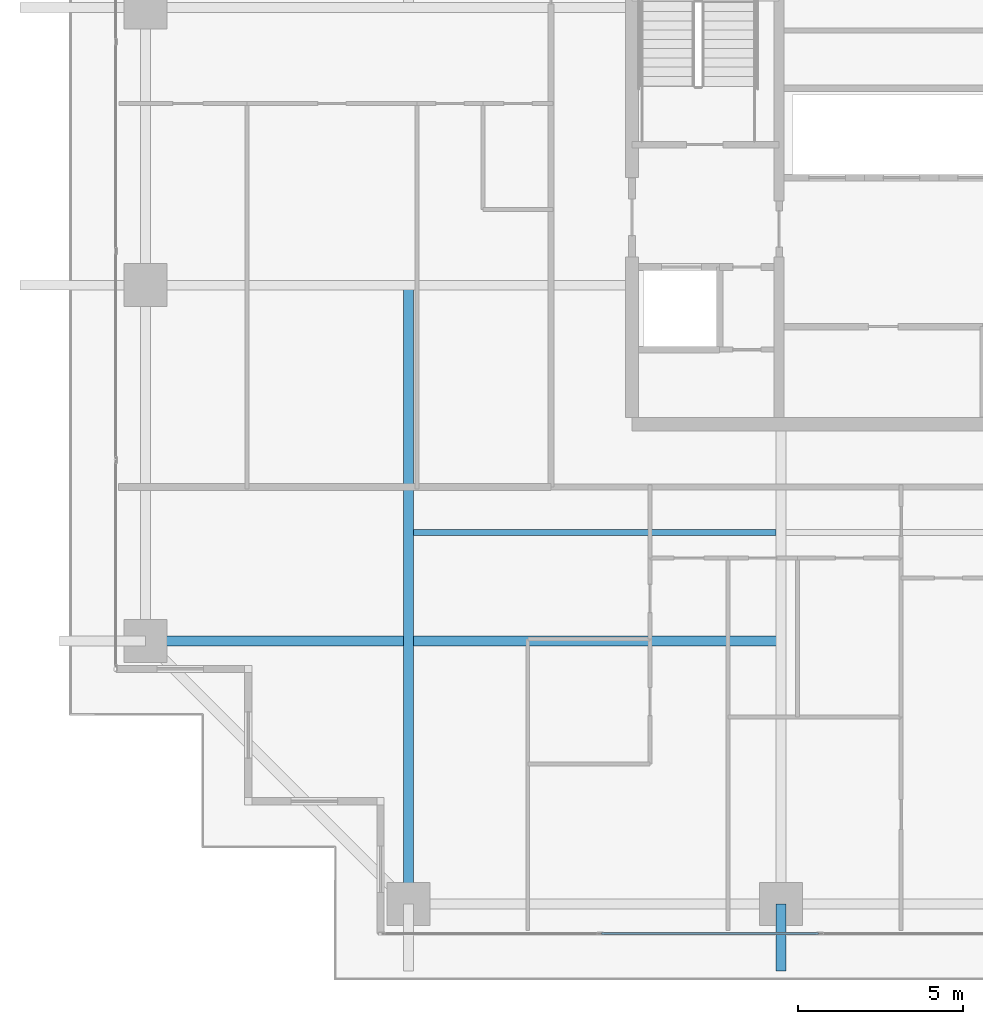
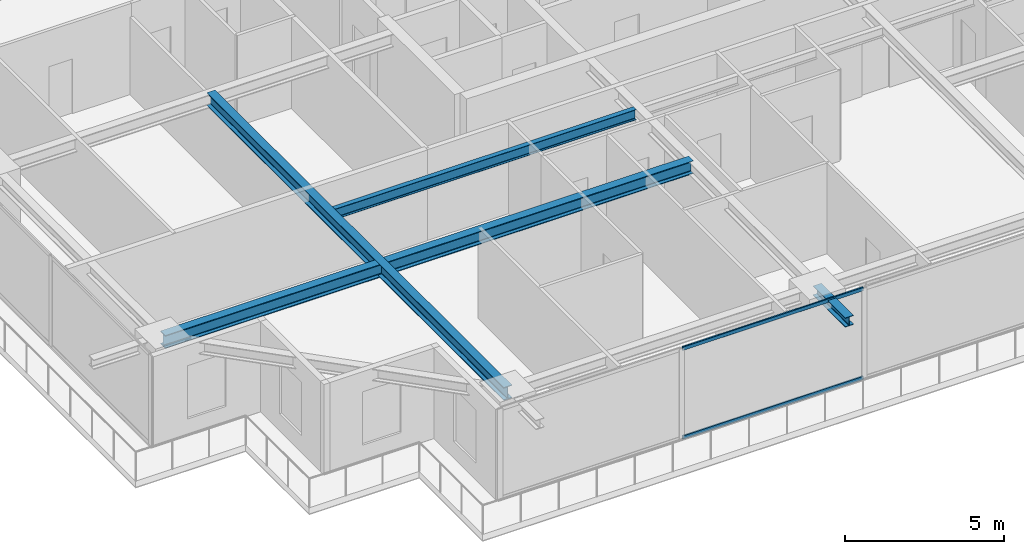
# One storey, part 4 of 34: 4 beams, 2 members, 1 element without a shape of its own.
"""IFC4 building model written with IfcOpenShell, lengths in metres."""

from ifc_helpers import new_model, si_unit, direction, frame, origin, origin_2d, place, context, subcontext, project, spatial, hollow_rectangle, i_section, extrude, source, transform, mapped, material, layer, layer_set, material_profile, profile_set, type_object, element, aggregate, save


model = new_model("IFC4")

# Units and contexts
model_context = context("Model", 3, precision=1e-05, world=origin(), true_north=direction((0.0, 1.0)))
body_context = subcontext(model_context, "Body", "Model", "MODEL_VIEW")
ifc_project = project(units=[si_unit("LENGTHUNIT", "METRE"), si_unit("AREAUNIT", "SQUARE_METRE"), si_unit("VOLUMEUNIT", "CUBIC_METRE"), si_unit("PLANEANGLEUNIT", "RADIAN"), si_unit("MASSUNIT", "GRAM", prefix="KILO")], contexts=[model_context])

# Site, building, storey
site_placement = place(None, origin())
site = spatial("IfcSite", under=ifc_project, at=site_placement, CompositionType="ELEMENT")
building_placement = place(site_placement, origin())
building = spatial("IfcBuilding", under=site, at=building_placement, Name="Serunith Strait Residences", CompositionType="ELEMENT")
storey_placement = place(building_placement, frame((0.0, 0.0, 135.14990234375)))
storey = spatial("IfcBuildingStorey", under=building, at=storey_placement, Name="L33", CompositionType="ELEMENT", Elevation=135.14990234375)

# Beams
ifc_material_1 = material(Name="Steel S355J2", Category="steel")
ifc_material_profile_1 = material_profile(ifc_material_1, i_section(OverallWidth=0.300048828125, OverallDepth=0.5, WebThickness=0.014404296875, FlangeThickness=0.028076171875, FilletRadius=0.027099609375, at=origin_2d()), Name="HEB 500")
ifc_profile_set_1 = profile_set([ifc_material_profile_1], Name="Steel S355J2")
beam_type_1 = type_object("IfcBeamType", Name="BM-HEB500", PredefinedType="BEAM", material=ifc_profile_set_1)
shared_shape_1 = source(origin(), body_context, "Body", "SweptSolid", [
    extrude(i_section(OverallWidth=0.300048828125, OverallDepth=0.5, WebThickness=0.014404296875, FlangeThickness=0.028076171875, FilletRadius=0.027099609375, at=origin_2d()), origin(), (0.0, 0.0, 1.0), 18.699951171875),
])
beam_1_placement = place(storey_placement, frame((16.64990234375, 21.0, 3.237060546875), z_axis=(0.0, -1.0, 0.0), x_axis=(1.0, 0.0, 0.0)))
element("IfcBeam", 1, at=beam_1_placement, inside=storey, type_object=beam_type_1, Name="L33 Orthogonal Corner Girder TC-S1", PredefinedType="BEAM", context=body_context, shape_type="MappedRepresentation", body=[
    mapped(shared_shape_1, transform((0.0, 0.0, 0.0), scale=1.0)),
])
shared_shape_2 = source(origin(), body_context, "Body", "SweptSolid", [
    extrude(i_section(OverallWidth=0.300048828125, OverallDepth=0.5, WebThickness=0.014404296875, FlangeThickness=0.028076171875, FilletRadius=0.027099609375, at=origin_2d()), origin(), (0.0, 0.0, 1.0), 19.199951171875),
])
beam_2_placement = place(storey_placement, frame((27.89990234375, 10.25, 3.237060546875), z_axis=(-1.0, 0.0, 0.0), x_axis=(0.0, -1.0, 0.0)))
element("IfcBeam", 2, at=beam_2_placement, inside=storey, type_object=beam_type_1, Name="L33 Orthogonal Corner Girder TC-W1", PredefinedType="BEAM", context=body_context, shape_type="MappedRepresentation", body=[
    mapped(shared_shape_2, transform((0.0, 0.0, 0.0), scale=1.0)),
])
ifc_material_profile_2 = material_profile(ifc_material_1, i_section(OverallWidth=0.300048828125, OverallDepth=0.360107421875, WebThickness=0.012451171875, FlangeThickness=0.0224609375, FilletRadius=0.027099609375, at=origin_2d()), Name="HEB 360")
ifc_profile_set_2 = profile_set([ifc_material_profile_2], Name="Steel S355J2")
beam_type_2 = type_object("IfcBeamType", Name="BM-HEB360", PredefinedType="BEAM", material=ifc_profile_set_2)
shared_shape_3 = source(origin(), body_context, "Body", "SweptSolid", [
    extrude(i_section(OverallWidth=0.300048828125, OverallDepth=0.360107421875, WebThickness=0.012451171875, FlangeThickness=0.0224609375, FilletRadius=0.027099609375, at=origin_2d()), origin(), (0.0, 0.0, 1.0), 2.030029296875),
])
beam_3_placement = place(storey_placement, frame((27.89990234375, 2.300048828125, 3.277099609375), z_axis=(0.0, -1.0, 0.0), x_axis=(1.0, 0.0, 0.0)))
element("IfcBeam", 3, at=beam_3_placement, inside=storey, type_object=beam_type_2, Name="L34 Cantilevered Balcony Rib TC-S2", PredefinedType="BEAM", context=body_context, shape_type="MappedRepresentation", body=[
    mapped(shared_shape_3, transform((0.0, 0.0, 0.0), scale=1.0)),
])
ifc_material_profile_3 = material_profile(ifc_material_1, i_section(OverallWidth=0.179931640625, OverallDepth=0.39990234375, WebThickness=0.008544921875, FlangeThickness=0.013427734375, FilletRadius=0.02099609375, at=origin_2d()), Name="IPE 400")
ifc_profile_set_3 = profile_set([ifc_material_profile_3], Name="Steel S355J2")
beam_type_3 = type_object("IfcBeamType", Name="BM-IPE400", PredefinedType="JOIST", material=ifc_profile_set_3)
shared_shape_4 = source(origin(), body_context, "Body", "SweptSolid", [
    extrude(i_section(OverallWidth=0.179931640625, OverallDepth=0.39990234375, WebThickness=0.008544921875, FlangeThickness=0.013427734375, FilletRadius=0.02099609375, at=origin_2d()), origin(), (0.0, 0.0, 1.0), 10.949951171875),
])
beam_4_placement = place(storey_placement, frame((16.800048828125, 13.52490234375, 3.287109375), z_axis=(1.0, 0.0, 0.0), x_axis=(0.0, 1.0, 0.0)))
element("IfcBeam", 4, at=beam_4_placement, inside=storey, type_object=beam_type_3, Name="L33 Composite Floor Joist 01", PredefinedType="JOIST", context=body_context, shape_type="MappedRepresentation", body=[
    mapped(shared_shape_4, transform((0.0, 0.0, 0.0), scale=1.0)),
])

# Curtain wall, members
ifc_material_2 = material(Name="Pale-Champagne Anodised Aluminium", Category="aluminium")
ifc_layer = layer(ifc_material_2, 0.199951171875, Name="Pale-Champagne Anodised Aluminium")
ifc_layer_set = layer_set([ifc_layer], Name="Pale-Champagne Anodised Aluminium")
curtain_wall_type = type_object("IfcCurtainWallType", Name="CW-SYS2", PredefinedType="NOTDEFINED", material=ifc_layer_set)
curtain_wall_placement = place(storey_placement, origin())
curtain_wall = element("IfcCurtainWall", 5, at=curtain_wall_placement, inside=storey, type_object=curtain_wall_type, Name="L33 S Unitised Fritted Curtain Wall", PredefinedType="NOTDEFINED")
ifc_material_profile_4 = material_profile(ifc_material_2, hollow_rectangle(XDim=0.06005859375, YDim=0.139892578125, WallThickness=0.00341796875, InnerFilletRadius=0.00537109375, OuterFilletRadius=0.0087890625, at=origin_2d()), Name="ALU 140x60x3.5")
ifc_profile_set_4 = profile_set([ifc_material_profile_4], Name="Pale-Champagne Anodised Aluminium")
member_type = type_object("IfcMemberType", Name="CW-SYS2-TRAN", PredefinedType="USERDEFINED", material=ifc_profile_set_4)
shared_shape_5 = source(origin(), body_context, "Body", "SweptSolid", [
    extrude(hollow_rectangle(XDim=0.06005859375, YDim=0.139892578125, WallThickness=0.00341796875, InnerFilletRadius=0.00537109375, OuterFilletRadius=0.0087890625, at=origin_2d()), origin(), (0.0, 0.0, 1.0), 6.56982421875),
])
member_1_placement = place(storey_placement, frame((22.47509765625, 1.39990234375, 0.030029296875), z_axis=(1.0, 0.0, 0.0), x_axis=(0.0, 1.0, 0.0)))
member_1 = element("IfcMember", 6, at=member_1_placement, type_object=member_type, Name="CW-2 transom 2.1", ObjectType="TRANSOM", PredefinedType="USERDEFINED", context=body_context, shape_type="MappedRepresentation", body=[
    mapped(shared_shape_5, transform((0.0, 0.0, 0.0), scale=1.0)),
])
member_2_placement = place(storey_placement, frame((22.47509765625, 1.39990234375, 3.445068359375), z_axis=(1.0, 0.0, 0.0), x_axis=(0.0, 1.0, 0.0)))
member_2 = element("IfcMember", 7, at=member_2_placement, type_object=member_type, Name="CW-2 transom 2.2", ObjectType="TRANSOM", PredefinedType="USERDEFINED", context=body_context, shape_type="MappedRepresentation", body=[
    mapped(shared_shape_5, transform((0.0, 0.0, 0.0), scale=1.0)),
])
aggregate(curtain_wall, [member_1, member_2])

save(model, "model.ifc")
